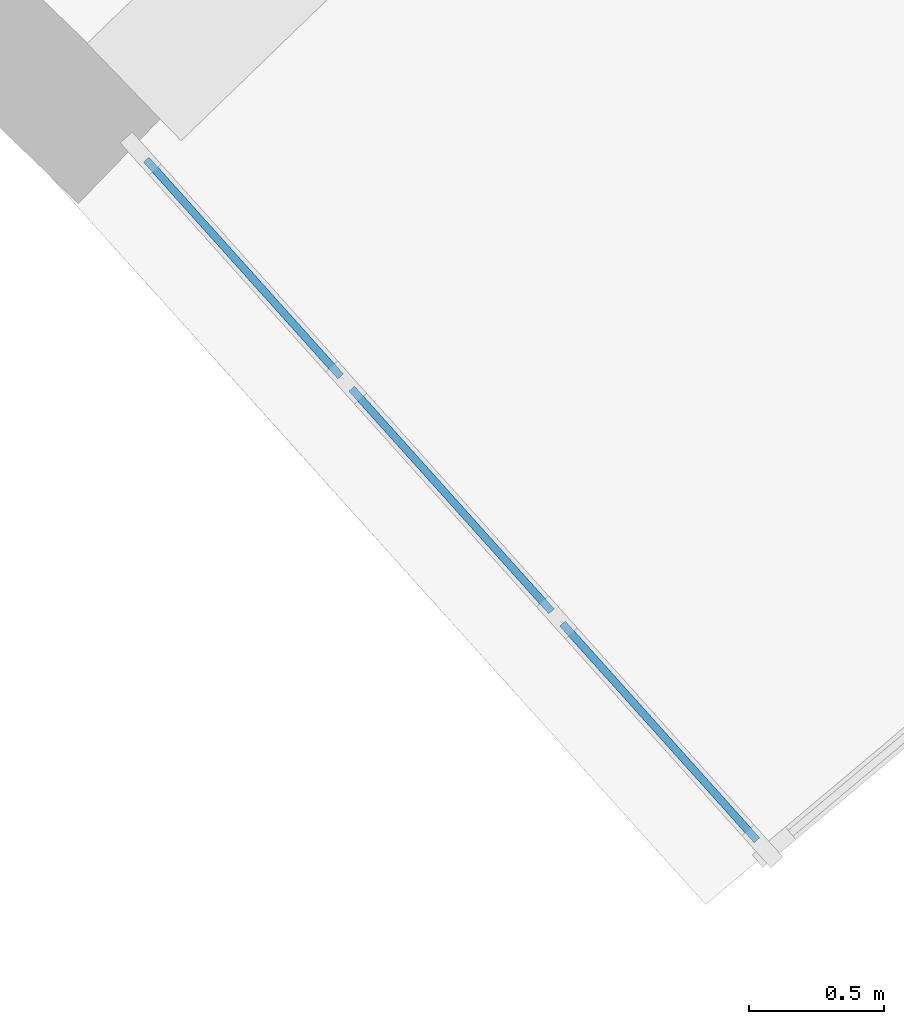
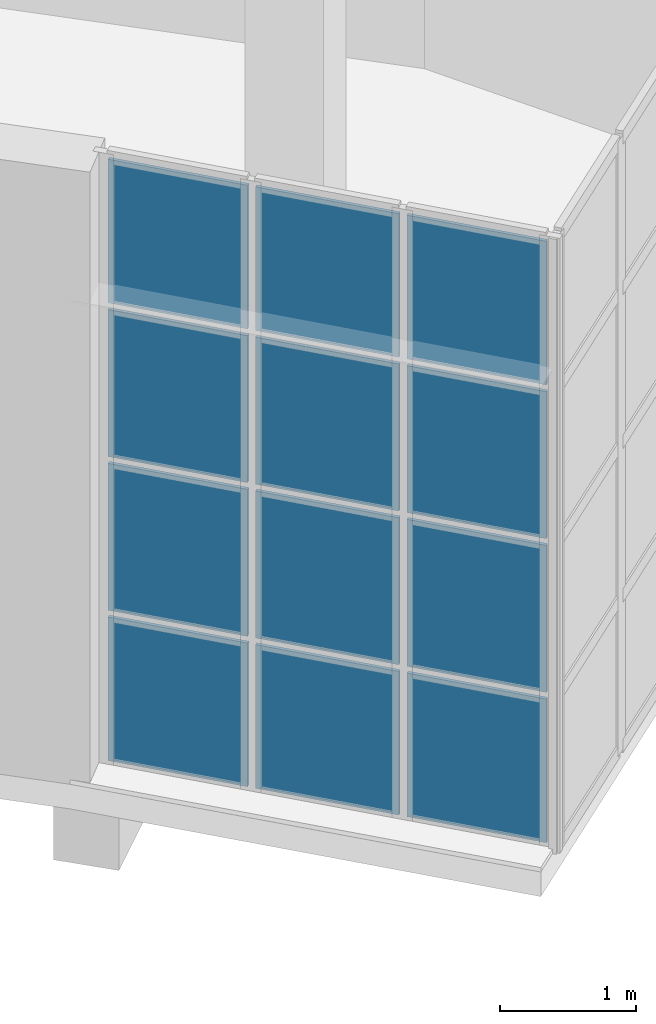
# One storey, part 62 of 132: 12 plates, 1 element without a shape of its own.
"""IFC4 building model written with IfcOpenShell, lengths in metres."""

import ifcopenshell
import ifcopenshell.guid

model = None  # the IFC model being written
_history = None  # IfcOwnerHistory: only IFC2X3 demands one
_inside = {}  # id of a spatial element -> (the spatial element, [elements in it])
_under = {}  # id of a project, library or spatial element -> (it, [spatial elements below it])
_declared = {}  # id of a project -> (the project, [libraries it declares])
_typed = {}  # id of a type object -> (the type object, [elements of that type])
_made_of = {}  # id of a material, layer set ... -> (it, [elements and type objects made of it])


def new_model(schema):
    """Start an empty IFC model of exactly this schema.

    Asked for "IFC4X3", IfcOpenShell would pick the latest addendum, in which some entities
    have other attributes; the version numbers below select the first issue.
    IFC2X3 requires an IfcOwnerHistory on every rooted entity: one is made here for all.
    """
    global model, _history
    if schema == "IFC4X3":
        model = ifcopenshell.file(schema_version=(4, 3, 0, 0))
    else:
        model = ifcopenshell.file(schema=schema)
    _inside.clear()
    _under.clear()
    _declared.clear()
    _typed.clear()
    _made_of.clear()
    _history = None
    if model.schema == "IFC2X3":
        org = make("IfcOrganization", Name="unknown")
        user = make(
            "IfcPersonAndOrganization",
            ThePerson=make("IfcPerson", FamilyName="unknown"),
            TheOrganization=org,
        )
        app = make(
            "IfcApplication",
            ApplicationDeveloper=org,
            Version="unknown",
            ApplicationFullName="unknown",
            ApplicationIdentifier="unknown",
        )
        _history = make(
            "IfcOwnerHistory",
            OwningUser=user,
            OwningApplication=app,
            ChangeAction="ADDED",
            CreationDate=0,
        )
    return model


def make(cls, **values):
    """One entity of the class cls with the attributes given. An attribute that is None is left unset."""
    return model.create_entity(
        cls, **{name: value for name, value in values.items() if value is not None}
    )


def rooted(cls, **values):
    """An entity with a GlobalId (a new one), such as an element, a storey or a relation."""
    return make(cls, GlobalId=ifcopenshell.guid.new(), OwnerHistory=_history, **values)


def si_unit(unit_type, name, prefix=None):
    """IfcSIUnit, for example si_unit("LENGTHUNIT", "METRE", prefix="MILLI")."""
    return make("IfcSIUnit", UnitType=unit_type, Prefix=prefix, Name=name)


def assignment(units):
    """IfcUnitAssignment: the units of a project."""
    return None if units is None else make("IfcUnitAssignment", Units=units)


def point(xyz):
    """IfcCartesianPoint."""
    return None if xyz is None else make("IfcCartesianPoint", Coordinates=xyz)


def direction(xyz):
    """IfcDirection."""
    return None if xyz is None else make("IfcDirection", DirectionRatios=xyz)


def frame(location, z_axis=None, x_axis=None):
    """IfcAxis2Placement3D, a coordinate frame: its origin and axes. An axis left out is left unset."""
    return make(
        "IfcAxis2Placement3D",
        Location=point(location),
        Axis=direction(z_axis),
        RefDirection=direction(x_axis),
    )


def frame_2d(location, x_axis=None):
    """IfcAxis2Placement2D, a coordinate frame in the plane: its origin and x axis."""
    return make(
        "IfcAxis2Placement2D", Location=point(location), RefDirection=direction(x_axis)
    )


def origin():
    """The frame at (0, 0, 0) with its axes left unset."""
    return frame((0.0, 0.0, 0.0))


def origin_2d():
    """The frame at (0, 0) in the plane with its x axis left unset."""
    return frame_2d((0.0, 0.0))


def place(relative_to, where):
    """IfcLocalPlacement: puts the frame where relative to a parent placement (None: the world)."""
    return make(
        "IfcLocalPlacement", PlacementRelTo=relative_to, RelativePlacement=where
    )


def context(
    kind, dimensions, precision=None, world=None, true_north=None, identifier=None
):
    """IfcGeometricRepresentationContext, for example the 3D "Model" context."""
    return make(
        "IfcGeometricRepresentationContext",
        ContextIdentifier=identifier,
        ContextType=kind,
        CoordinateSpaceDimension=dimensions,
        Precision=precision,
        WorldCoordinateSystem=world,
        TrueNorth=true_north,
    )


def subcontext(parent, identifier, kind, view, scale=None):
    """IfcGeometricRepresentationSubContext, for example "Body" below "Model"."""
    return make(
        "IfcGeometricRepresentationSubContext",
        ContextIdentifier=identifier,
        ContextType=kind,
        ParentContext=parent,
        TargetScale=scale,
        TargetView=view,
    )


def project(units=None, contexts=None):
    """IfcProject with its units and contexts."""
    return rooted(
        "IfcProject",
        Name="project",
        RepresentationContexts=contexts,
        UnitsInContext=assignment(units),
    )


def spatial(cls, under=None, at=None, **own):
    """A site, building, storey or space (cls), placed at a placement, below another one or the project."""
    s = rooted(cls, ObjectPlacement=at, **own)
    if under is not None:
        _under.setdefault(under.id(), (under, []))[1].append(s)
    return s


def profile(cls, at=None, kind="AREA", **sizes):
    """A parametric profile (cls). Its sizes go by their IFC names, for example OverallWidth=200.0."""
    return make(cls, ProfileType=kind, Position=at, **sizes)


def rectangle(**sizes):
    """IfcRectangleProfileDef."""
    return profile("IfcRectangleProfileDef", **sizes)


def extrude(swept, where, along, depth):
    """IfcExtrudedAreaSolid: the profile swept, set in the frame where, extruded along a direction by depth."""
    return make(
        "IfcExtrudedAreaSolid",
        SweptArea=swept,
        Position=where,
        ExtrudedDirection=direction(along),
        Depth=depth,
    )


def shape(context_of_items, identifier, shape_type, items):
    """IfcShapeRepresentation: the items that make up one representation, for example the "Body"."""
    return make(
        "IfcShapeRepresentation",
        ContextOfItems=context_of_items,
        RepresentationIdentifier=identifier,
        RepresentationType=shape_type,
        Items=items,
    )


def material(Name=None, Category=None):
    """IfcMaterial."""
    return make("IfcMaterial", Name=Name, Category=Category)


def layer(
    of_material, thickness, ventilated=None, Name=None, Category=None, Priority=None
):
    """IfcMaterialLayer: one layer of a wall or slab, of a material (None: an air gap)."""
    return make(
        "IfcMaterialLayer",
        Material=of_material,
        LayerThickness=thickness,
        IsVentilated=ventilated,
        Name=Name,
        Category=Category,
        Priority=Priority,
    )


def layer_set(layers, Name=None):
    """IfcMaterialLayerSet."""
    return make("IfcMaterialLayerSet", MaterialLayers=layers, LayerSetName=Name)


def made_of(thing, what):
    """Note that an element or type object is made of a material, layer set ...; save() writes the relation."""
    if what is not None:
        _made_of.setdefault(what.id(), (what, []))[1].append(thing)
    return thing


def type_object(cls, material=None, **own):
    """A type object (cls), such as IfcWallType, which elements share."""
    return made_of(rooted(cls, **own), material)


def element(
    cls,
    number,
    at=None,
    inside=None,
    cuts=None,
    type_object=None,
    material=None,
    context=None,
    identifier="Body",
    shape_type=None,
    held_by="IfcProductDefinitionShape",
    body=None,
    shapes=None,
    **own,
):
    """One element of the class cls, such as IfcWall. Its Tag is "e" and its number.

    at: its placement. inside: the storey or other place that contains it. cuts: it is an
    opening in that element (IfcRelVoidsElement). A single representation is given by context,
    identifier, shape_type and body (its items); several are given by shapes. held_by: the class
    of the entity that holds the representations. save() writes the other relations.
    """
    e = rooted(cls, Tag="e%d" % number, ObjectPlacement=at, **own)
    if body is not None:
        shapes = [shape(context, identifier, shape_type, body)]
    if shapes is not None:
        e.Representation = make(held_by, Representations=shapes)
    if inside is not None:
        _inside.setdefault(inside.id(), (inside, []))[1].append(e)
    if cuts is not None:
        rooted(
            "IfcRelVoidsElement", RelatingBuildingElement=cuts, RelatedOpeningElement=e
        )
    if type_object is not None:
        _typed.setdefault(type_object.id(), (type_object, []))[1].append(e)
    return made_of(e, material)


def aggregate(whole, parts):
    """IfcRelAggregates: a whole, such as a stair, and the parts it consists of."""
    return rooted("IfcRelAggregates", RelatingObject=whole, RelatedObjects=parts)


def save(model, path):
    """Write the relations noted so far, then the file.

    IfcRelAggregates (storeys below a building ...), IfcRelContainedInSpatialStructure (elements
    in a storey), IfcRelDefinesByType, IfcRelAssociatesMaterial and IfcRelDeclares: one each for
    every whole, place, type object, material and project.
    """
    for whole, parts in _under.values():
        aggregate(whole, parts)
    for where, things in _inside.values():
        rooted(
            "IfcRelContainedInSpatialStructure",
            RelatedElements=things,
            RelatingStructure=where,
        )
    for kind, things in _typed.values():
        rooted("IfcRelDefinesByType", RelatedObjects=things, RelatingType=kind)
    for what, things in _made_of.values():
        rooted("IfcRelAssociatesMaterial", RelatedObjects=things, RelatingMaterial=what)
    for by, libraries in _declared.values():
        rooted("IfcRelDeclares", RelatingContext=by, RelatedDefinitions=libraries)
    model.write(path)


model = new_model("IFC4")

# Units and contexts
model_context = context("Model", 3, precision=1e-05, world=origin(), true_north=direction((0.0, 1.0)))
body_context = subcontext(model_context, "Body", "Model", "MODEL_VIEW")
ifc_project = project(units=[si_unit("LENGTHUNIT", "METRE"), si_unit("AREAUNIT", "SQUARE_METRE"), si_unit("VOLUMEUNIT", "CUBIC_METRE"), si_unit("PLANEANGLEUNIT", "RADIAN"), si_unit("MASSUNIT", "GRAM", prefix="KILO")], contexts=[model_context])

# Site, building, storey
site_placement = place(None, origin())
site = spatial("IfcSite", under=ifc_project, at=site_placement, CompositionType="ELEMENT")
building_placement = place(site_placement, origin())
building = spatial("IfcBuilding", under=site, at=building_placement, Name="Lunette Opera House", CompositionType="ELEMENT")
storey_placement = place(building_placement, frame((0.0, 0.0, 17.0)))
storey = spatial("IfcBuildingStorey", under=building, at=storey_placement, Name="L03", CompositionType="ELEMENT", Elevation=17.0)

# Curtain wall, plates
ifc_material_1 = material(Name="Aluminium", Category="aluminium")
ifc_layer_1 = layer(ifc_material_1, 0.159912109375)
ifc_layer_set_1 = layer_set([ifc_layer_1], Name="Aluminium")
curtain_wall_type = type_object("IfcCurtainWallType", Name="CORNER CURTAIN WALL", PredefinedType="NOTDEFINED", material=ifc_layer_set_1)
curtain_wall_placement = place(storey_placement, origin())
curtain_wall = element("IfcCurtainWall", 1, at=curtain_wall_placement, inside=storey, type_object=curtain_wall_type, Name="Corner Curtain Wall GC-E1 L03", PredefinedType="NOTDEFINED")
ifc_material_2 = material(Name="Laminated glass", Category="glass")
ifc_layer_2 = layer(ifc_material_2, 0.028076171875)
ifc_layer_set_2 = layer_set([ifc_layer_2], Name="Laminated glass")
plate_type = type_object("IfcPlateType", Name="CURTAIN PANEL LAMINATED GLASS 28", PredefinedType="CURTAIN_PANEL", material=ifc_layer_set_2)
plate_1_placement = place(storey_placement, frame((134.125732421875, 35.777587890625, 0.06005859375), z_axis=(0.0, 0.0, 1.0), x_axis=(0.667938143615, -0.744216793887, 0.0)))
plate_1 = element("IfcPlate", 2, at=plate_1_placement, type_object=plate_type, Name="FC-X2177 panel 1.1", PredefinedType="CURTAIN_PANEL", context=body_context, shape_type="SweptSolid", body=[
    extrude(rectangle(XDim=1.07666015625, YDim=0.028076171875, at=origin_2d()), origin(), (0.0, 0.0, 1.0), 1.284912109375),
])
plate_2_placement = place(storey_placement, frame((134.125732421875, 35.777587890625, 1.405029296875), z_axis=(0.0, 0.0, 1.0), x_axis=(0.667938143615, -0.744216793887, 0.0)))
plate_2 = element("IfcPlate", 3, at=plate_2_placement, type_object=plate_type, Name="FC-X2177 panel 1.2", PredefinedType="CURTAIN_PANEL", context=body_context, shape_type="SweptSolid", body=[
    extrude(rectangle(XDim=1.07666015625, YDim=0.028076171875, at=origin_2d()), origin(), (0.0, 0.0, 1.0), 1.31494140625),
])
plate_3_placement = place(storey_placement, frame((134.125732421875, 35.777587890625, 2.780029296875), z_axis=(0.0, 0.0, 1.0), x_axis=(0.667938143615, -0.744216793887, 0.0)))
plate_3 = element("IfcPlate", 4, at=plate_3_placement, type_object=plate_type, Name="FC-X2177 panel 1.3", PredefinedType="CURTAIN_PANEL", context=body_context, shape_type="SweptSolid", body=[
    extrude(rectangle(XDim=1.07666015625, YDim=0.028076171875, at=origin_2d()), origin(), (0.0, 0.0, 1.0), 1.31494140625),
])
plate_4_placement = place(storey_placement, frame((134.125732421875, 35.777587890625, 4.1552734375), z_axis=(0.0, 0.0, 1.0), x_axis=(0.667938143615, -0.744216793887, 0.0)))
plate_4 = element("IfcPlate", 5, at=plate_4_placement, type_object=plate_type, Name="FC-X2177 panel 1.4", PredefinedType="CURTAIN_PANEL", context=body_context, shape_type="SweptSolid", body=[
    extrude(rectangle(XDim=1.07666015625, YDim=0.028076171875, at=origin_2d()), origin(), (0.0, 0.0, 1.0), 1.284912109375),
])
plate_5_placement = place(storey_placement, frame((134.89501953125, 34.92041015625, 0.06005859375), z_axis=(0.0, 0.0, 1.0), x_axis=(0.667938143615, -0.744216793887, 0.0)))
plate_5 = element("IfcPlate", 6, at=plate_5_placement, type_object=plate_type, Name="FC-X2177 panel 2.1", PredefinedType="CURTAIN_PANEL", context=body_context, shape_type="SweptSolid", body=[
    extrude(rectangle(XDim=1.106689453125, YDim=0.028076171875, at=origin_2d()), origin(), (0.0, 0.0, 1.0), 1.284912109375),
])
plate_6_placement = place(storey_placement, frame((134.89501953125, 34.92041015625, 1.405029296875), z_axis=(0.0, 0.0, 1.0), x_axis=(0.667938143615, -0.744216793887, 0.0)))
plate_6 = element("IfcPlate", 7, at=plate_6_placement, type_object=plate_type, Name="FC-X2177 panel 2.2", PredefinedType="CURTAIN_PANEL", context=body_context, shape_type="SweptSolid", body=[
    extrude(rectangle(XDim=1.106689453125, YDim=0.028076171875, at=origin_2d()), origin(), (0.0, 0.0, 1.0), 1.31494140625),
])
plate_7_placement = place(storey_placement, frame((134.89501953125, 34.92041015625, 2.780029296875), z_axis=(0.0, 0.0, 1.0), x_axis=(0.667938143615, -0.744216793887, 0.0)))
plate_7 = element("IfcPlate", 8, at=plate_7_placement, type_object=plate_type, Name="FC-X2177 panel 2.3", PredefinedType="CURTAIN_PANEL", context=body_context, shape_type="SweptSolid", body=[
    extrude(rectangle(XDim=1.106689453125, YDim=0.028076171875, at=origin_2d()), origin(), (0.0, 0.0, 1.0), 1.31494140625),
])
plate_8_placement = place(storey_placement, frame((134.89501953125, 34.92041015625, 4.1552734375), z_axis=(0.0, 0.0, 1.0), x_axis=(0.667938143615, -0.744216793887, 0.0)))
plate_8 = element("IfcPlate", 9, at=plate_8_placement, type_object=plate_type, Name="FC-X2177 panel 2.4", PredefinedType="CURTAIN_PANEL", context=body_context, shape_type="SweptSolid", body=[
    extrude(rectangle(XDim=1.106689453125, YDim=0.028076171875, at=origin_2d()), origin(), (0.0, 0.0, 1.0), 1.284912109375),
])
plate_9_placement = place(storey_placement, frame((135.664306640625, 34.063232421875, 0.06005859375), z_axis=(0.0, 0.0, 1.0), x_axis=(0.667938143615, -0.744216793887, 0.0)))
plate_9 = element("IfcPlate", 10, at=plate_9_placement, type_object=plate_type, Name="FC-X2177 panel 3.1", PredefinedType="CURTAIN_PANEL", context=body_context, shape_type="SweptSolid", body=[
    extrude(rectangle(XDim=1.07666015625, YDim=0.028076171875, at=origin_2d()), origin(), (0.0, 0.0, 1.0), 1.284912109375),
])
plate_10_placement = place(storey_placement, frame((135.664306640625, 34.063232421875, 1.405029296875), z_axis=(0.0, 0.0, 1.0), x_axis=(0.667938143615, -0.744216793887, 0.0)))
plate_10 = element("IfcPlate", 11, at=plate_10_placement, type_object=plate_type, Name="FC-X2177 panel 3.2", PredefinedType="CURTAIN_PANEL", context=body_context, shape_type="SweptSolid", body=[
    extrude(rectangle(XDim=1.07666015625, YDim=0.028076171875, at=origin_2d()), origin(), (0.0, 0.0, 1.0), 1.31494140625),
])
plate_11_placement = place(storey_placement, frame((135.664306640625, 34.063232421875, 2.780029296875), z_axis=(0.0, 0.0, 1.0), x_axis=(0.667938143615, -0.744216793887, 0.0)))
plate_11 = element("IfcPlate", 12, at=plate_11_placement, type_object=plate_type, Name="FC-X2177 panel 3.3", PredefinedType="CURTAIN_PANEL", context=body_context, shape_type="SweptSolid", body=[
    extrude(rectangle(XDim=1.07666015625, YDim=0.028076171875, at=origin_2d()), origin(), (0.0, 0.0, 1.0), 1.31494140625),
])
plate_12_placement = place(storey_placement, frame((135.664306640625, 34.063232421875, 4.1552734375), z_axis=(0.0, 0.0, 1.0), x_axis=(0.667938143615, -0.744216793887, 0.0)))
plate_12 = element("IfcPlate", 13, at=plate_12_placement, type_object=plate_type, Name="FC-X2177 panel 3.4", PredefinedType="CURTAIN_PANEL", context=body_context, shape_type="SweptSolid", body=[
    extrude(rectangle(XDim=1.07666015625, YDim=0.028076171875, at=origin_2d()), origin(), (0.0, 0.0, 1.0), 1.284912109375),
])
aggregate(curtain_wall, [plate_1, plate_2, plate_3, plate_4, plate_5, plate_6, plate_7, plate_8, plate_9, plate_10, plate_11, plate_12])

save(model, "model.ifc")
